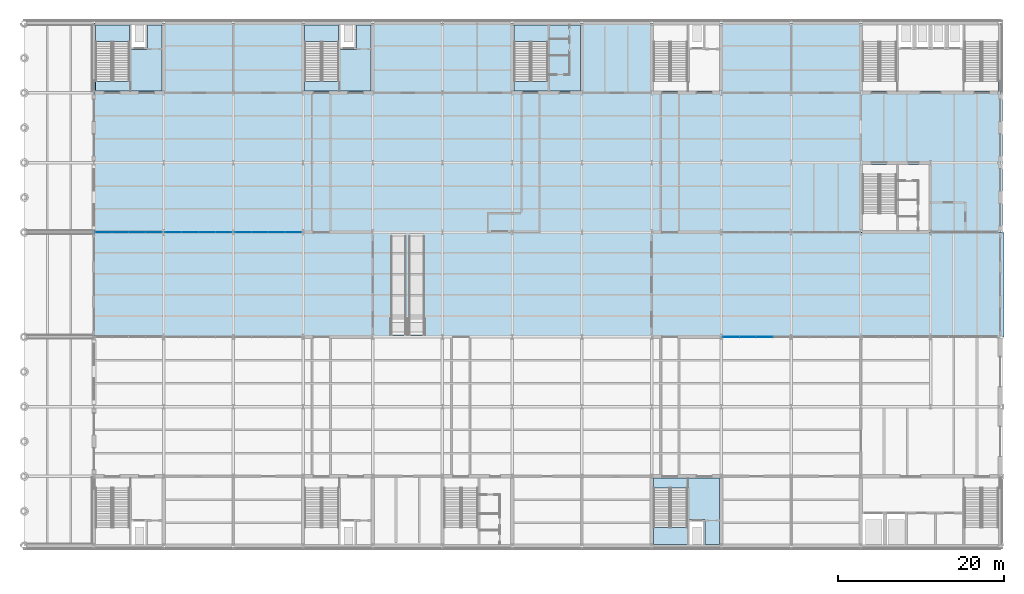
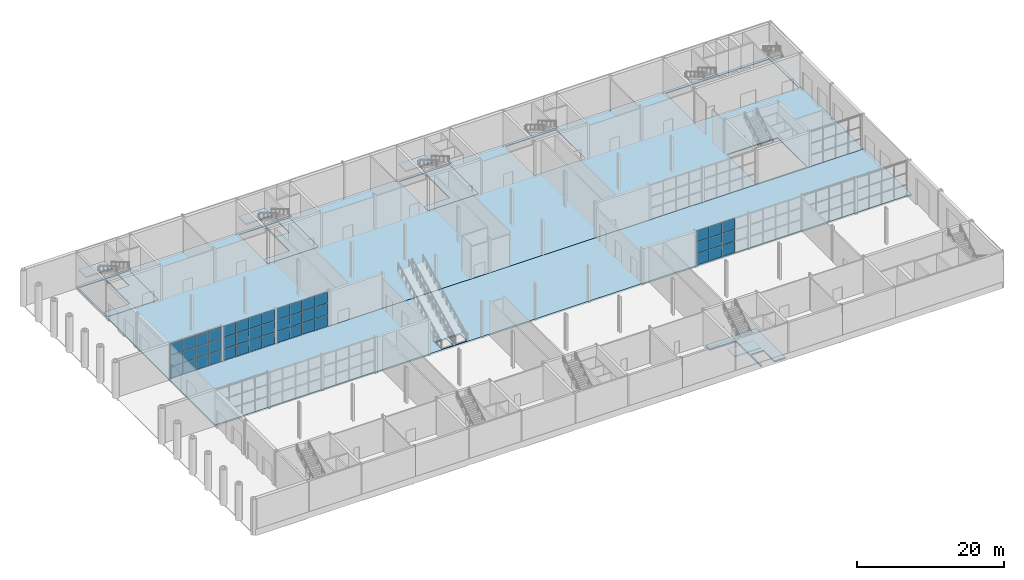
# One storey, part 27 of 55: 45 plates, 10 slabs, 8 elements without a shape of their own.
"""IFC4 building model written with IfcOpenShell, lengths in metres."""

from ifc_helpers import new_model, si_unit, direction, frame, origin, origin_2d, place, context, subcontext, project, spatial, polyline, rectangle, outline, extrude, material, layer, layer_set, type_object, element, aggregate, save


model = new_model("IFC4")

# Units and contexts
model_context = context("Model", 3, precision=1e-05, world=origin(), true_north=direction((0.0, 1.0)))
body_context = subcontext(model_context, "Body", "Model", "MODEL_VIEW")
ifc_project = project(units=[si_unit("LENGTHUNIT", "METRE"), si_unit("AREAUNIT", "SQUARE_METRE"), si_unit("VOLUMEUNIT", "CUBIC_METRE"), si_unit("PLANEANGLEUNIT", "RADIAN"), si_unit("MASSUNIT", "GRAM", prefix="KILO")], contexts=[model_context])

# Site, building, storey
site_placement = place(None, origin())
site = spatial("IfcSite", under=ifc_project, at=site_placement, CompositionType="ELEMENT")
building_placement = place(site_placement, origin())
building = spatial("IfcBuilding", under=site, at=building_placement, Name="Galleria Vessillo Department Store", CompositionType="ELEMENT")
storey_placement = place(building_placement, origin())
storey = spatial("IfcBuildingStorey", under=building, at=storey_placement, Name="L00", CompositionType="ELEMENT", Elevation=0.0)

# Slabs
ifc_material_1 = material(Name="Concrete C32/40 composite on steel deck", Category="concrete")
ifc_layer_1 = layer(ifc_material_1, 0.25)
ifc_layer_set_1 = layer_set([ifc_layer_1], Name="Concrete C32/40 composite on steel deck")
slab_type_1 = type_object("IfcSlabType", Name="Arcade pavement slab 250 mm", PredefinedType="FLOOR", material=ifc_layer_set_1)
slab_1_placement = place(storey_placement, frame((0.0, 0.0, -0.25)))
element("IfcSlab", 1, at=slab_1_placement, inside=storey, type_object=slab_type_1, Name="S-SLAB-L00-ARCADE", PredefinedType="FLOOR", context=body_context, shape_type="SweptSolid", body=[
    extrude(outline(polyline([(118.050048828125, 37.800048828125), (118.050048828125, 25.199951171875), (8.39990234375, 25.199951171875), (8.39990234375, 37.800048828125), (118.050048828125, 37.800048828125)]), holes=[polyline([(46.0, 25.39990234375), (46.0, 27.34326171875), (44.2001953125, 27.34326171875), (44.2001953125, 25.39990234375), (46.0, 25.39990234375)]), polyline([(48.199951171875, 25.39990234375), (48.199951171875, 27.34326171875), (46.400146484375, 27.34326171875), (46.400146484375, 25.39990234375), (48.199951171875, 25.39990234375)])]), origin(), (0.0, 0.0, 1.0), 0.25),
])
ifc_material_2 = material(Name="Concrete C32/40 composite on steel deck", Category="concrete")
ifc_layer_2 = layer(ifc_material_2, 0.14990234375)
ifc_layer_set_2 = layer_set([ifc_layer_2], Name="Concrete C32/40 composite on steel deck")
slab_type_2 = type_object("IfcSlabType", Name="Composite floor slab 150 mm", PredefinedType="FLOOR", material=ifc_layer_set_2)
slab_2_placement = place(storey_placement, frame((0.0, 0.0, -0.14990234375)))
element("IfcSlab", 2, at=slab_2_placement, inside=storey, type_object=slab_type_2, Name="S-SLAB-L00-FLOOR-N", PredefinedType="FLOOR", context=body_context, shape_type="SweptSolid", body=[
    extrude(outline(polyline([(25.3505859375, 63.0), (25.3505859375, 63.25), (33.449462890625, 63.25), (33.449462890625, 63.0), (33.750732421875, 63.0), (33.750732421875, 63.199951171875), (41.849365234375, 63.199951171875), (41.849365234375, 63.0), (42.150634765625, 63.0), (42.150634765625, 63.25), (50.249267578125, 63.25), (50.249267578125, 63.0), (50.550537109375, 63.0), (50.550537109375, 63.25), (58.6494140625, 63.25), (58.6494140625, 63.0), (58.95068359375, 63.0), (58.95068359375, 63.199951171875), (67.04931640625, 63.199951171875), (67.04931640625, 63.0), (67.3505859375, 63.0), (67.3505859375, 63.25), (75.449462890625, 63.25), (75.449462890625, 63.0), (75.750732421875, 63.0), (75.750732421875, 63.199951171875), (83.846435546875, 63.199951171875), (83.846435546875, 63.0), (84.153564453125, 63.0), (84.153564453125, 63.25), (92.246337890625, 63.25), (92.246337890625, 63.0), (92.553466796875, 63.0), (92.553466796875, 63.25), (100.646484375, 63.25), (100.646484375, 63.0), (100.95361328125, 63.0), (100.95361328125, 63.199951171875), (117.3134765625, 63.199951171875), (117.3134765625, 63.0), (117.60009765625, 63.0), (117.60009765625, 62.846435546875), (117.800048828125, 62.846435546875), (117.800048828125, 54.753662109375), (117.60009765625, 54.753662109375), (117.60009765625, 54.446533203125), (117.85009765625, 54.446533203125), (117.85009765625, 46.353515625), (117.60009765625, 46.353515625), (117.60009765625, 46.04638671875), (117.85009765625, 46.04638671875), (117.85009765625, 37.95361328125), (117.60009765625, 37.95361328125), (117.60009765625, 37.800048828125), (8.39990234375, 37.800048828125), (8.39990234375, 63.0), (8.550537109375, 63.0), (8.550537109375, 63.199951171875), (16.6494140625, 63.199951171875), (16.6494140625, 63.0), (16.95068359375, 63.0), (16.95068359375, 63.25), (25.04931640625, 63.25), (25.04931640625, 63.0), (25.3505859375, 63.0)]), holes=[polyline([(16.60009765625, 62.800048828125), (8.599853515625, 62.800048828125), (8.599853515625, 54.800048828125), (16.60009765625, 54.800048828125), (16.60009765625, 62.800048828125)]), polyline([(41.800048828125, 62.800048828125), (33.800048828125, 62.800048828125), (33.800048828125, 54.800048828125), (41.800048828125, 54.800048828125), (41.800048828125, 62.800048828125)]), polyline([(59.0, 62.800048828125), (59.0, 54.800048828125), (67.0, 54.800048828125), (67.0, 62.800048828125), (59.0, 62.800048828125)]), polyline([(101.0, 46.0), (101.0, 38.0), (109.0, 38.0), (109.0, 46.0), (101.0, 46.0)]), polyline([(83.800048828125, 62.800048828125), (75.800048828125, 62.800048828125), (75.800048828125, 54.800048828125), (83.800048828125, 54.800048828125), (83.800048828125, 62.800048828125)]), polyline([(117.400146484375, 62.800048828125), (101.0, 62.800048828125), (101.0, 54.800048828125), (117.400146484375, 54.800048828125), (117.400146484375, 62.800048828125)])]), origin(), (0.0, 0.0, 1.0), 0.14990234375),
])

# Curtain wall, plates
ifc_material_3 = material(Name="Aluminium and glass curtain wall", Category="aluminium")
ifc_layer_3 = layer(ifc_material_3, 0.159912109375)
ifc_layer_set_3 = layer_set([ifc_layer_3], Name="Aluminium and glass curtain wall")
curtain_wall_type_1 = type_object("IfcCurtainWallType", Name="Arcade portal glazing CW2 2100 module", PredefinedType="NOTDEFINED", material=ifc_layer_set_3)
curtain_wall_1_placement = place(storey_placement, origin())
curtain_wall_1 = element("IfcCurtainWall", 3, at=curtain_wall_1_placement, inside=storey, type_object=curtain_wall_type_1, Name="Arcade portal glazing CW2 2100 module PW-W-N-L00-01", PredefinedType="NOTDEFINED")
ifc_material_4 = material(Name="Glass laminated 44.2 low-e", Category="glass")
ifc_layer_4 = layer(ifc_material_4, 0.028076171875)
ifc_layer_set_4 = layer_set([ifc_layer_4], Name="Glass laminated 44.2 low-e")
plate_type_1 = type_object("IfcPlateType", Name="Laminated glass panel 28 mm", PredefinedType="CURTAIN_PANEL", material=ifc_layer_set_4)
plate_1_placement = place(storey_placement, frame((9.576904296875, 37.800048828125, 0.06005859375), z_axis=(0.0, 0.0, 1.0), x_axis=(1.0, 0.0, 0.0)))
plate_1 = element("IfcPlate", 4, at=plate_1_placement, type_object=plate_type_1, Name="CW2 panel 1.1", PredefinedType="CURTAIN_PANEL", context=body_context, shape_type="SweptSolid", body=[
    extrude(rectangle(XDim=1.94873046875, YDim=0.028076171875, at=origin_2d()), origin(), (0.0, 0.0, 1.0), 1.860107421875),
])
plate_2_placement = place(storey_placement, frame((9.576904296875, 37.800048828125, 1.97998046875), z_axis=(0.0, 0.0, 1.0), x_axis=(1.0, 0.0, 0.0)))
plate_2 = element("IfcPlate", 5, at=plate_2_placement, type_object=plate_type_1, Name="CW2 panel 1.2", PredefinedType="CURTAIN_PANEL", context=body_context, shape_type="SweptSolid", body=[
    extrude(rectangle(XDim=1.94873046875, YDim=0.028076171875, at=origin_2d()), origin(), (0.0, 0.0, 1.0), 1.89013671875),
])
plate_3_placement = place(storey_placement, frame((9.576904296875, 37.800048828125, 3.93017578125), z_axis=(0.0, 0.0, 1.0), x_axis=(1.0, 0.0, 0.0)))
plate_3 = element("IfcPlate", 6, at=plate_3_placement, type_object=plate_type_1, Name="CW2 panel 1.3", PredefinedType="CURTAIN_PANEL", context=body_context, shape_type="SweptSolid", body=[
    extrude(rectangle(XDim=1.94873046875, YDim=0.028076171875, at=origin_2d()), origin(), (0.0, 0.0, 1.0), 1.860107421875),
])
plate_4_placement = place(storey_placement, frame((11.588134765625, 37.800048828125, 0.06005859375), z_axis=(0.0, 0.0, 1.0), x_axis=(1.0, 0.0, 0.0)))
plate_4 = element("IfcPlate", 7, at=plate_4_placement, type_object=plate_type_1, Name="CW2 panel 2.1", PredefinedType="CURTAIN_PANEL", context=body_context, shape_type="SweptSolid", body=[
    extrude(rectangle(XDim=1.9736328125, YDim=0.028076171875, at=origin_2d()), origin(), (0.0, 0.0, 1.0), 1.860107421875),
])
plate_5_placement = place(storey_placement, frame((11.588134765625, 37.800048828125, 1.97998046875), z_axis=(0.0, 0.0, 1.0), x_axis=(1.0, 0.0, 0.0)))
plate_5 = element("IfcPlate", 8, at=plate_5_placement, type_object=plate_type_1, Name="CW2 panel 2.2", PredefinedType="CURTAIN_PANEL", context=body_context, shape_type="SweptSolid", body=[
    extrude(rectangle(XDim=1.9736328125, YDim=0.028076171875, at=origin_2d()), origin(), (0.0, 0.0, 1.0), 1.89013671875),
])
plate_6_placement = place(storey_placement, frame((11.588134765625, 37.800048828125, 3.93017578125), z_axis=(0.0, 0.0, 1.0), x_axis=(1.0, 0.0, 0.0)))
plate_6 = element("IfcPlate", 9, at=plate_6_placement, type_object=plate_type_1, Name="CW2 panel 2.3", PredefinedType="CURTAIN_PANEL", context=body_context, shape_type="SweptSolid", body=[
    extrude(rectangle(XDim=1.9736328125, YDim=0.028076171875, at=origin_2d()), origin(), (0.0, 0.0, 1.0), 1.860107421875),
])
plate_7_placement = place(storey_placement, frame((13.61181640625, 37.800048828125, 0.06005859375), z_axis=(0.0, 0.0, 1.0), x_axis=(1.0, 0.0, 0.0)))
plate_7 = element("IfcPlate", 10, at=plate_7_placement, type_object=plate_type_1, Name="CW2 panel 3.1", PredefinedType="CURTAIN_PANEL", context=body_context, shape_type="SweptSolid", body=[
    extrude(rectangle(XDim=1.9736328125, YDim=0.028076171875, at=origin_2d()), origin(), (0.0, 0.0, 1.0), 1.860107421875),
])
plate_8_placement = place(storey_placement, frame((13.61181640625, 37.800048828125, 1.97998046875), z_axis=(0.0, 0.0, 1.0), x_axis=(1.0, 0.0, 0.0)))
plate_8 = element("IfcPlate", 11, at=plate_8_placement, type_object=plate_type_1, Name="CW2 panel 3.2", PredefinedType="CURTAIN_PANEL", context=body_context, shape_type="SweptSolid", body=[
    extrude(rectangle(XDim=1.9736328125, YDim=0.028076171875, at=origin_2d()), origin(), (0.0, 0.0, 1.0), 1.89013671875),
])
plate_9_placement = place(storey_placement, frame((13.61181640625, 37.800048828125, 3.93017578125), z_axis=(0.0, 0.0, 1.0), x_axis=(1.0, 0.0, 0.0)))
plate_9 = element("IfcPlate", 12, at=plate_9_placement, type_object=plate_type_1, Name="CW2 panel 3.3", PredefinedType="CURTAIN_PANEL", context=body_context, shape_type="SweptSolid", body=[
    extrude(rectangle(XDim=1.9736328125, YDim=0.028076171875, at=origin_2d()), origin(), (0.0, 0.0, 1.0), 1.860107421875),
])
plate_10_placement = place(storey_placement, frame((15.623046875, 37.800048828125, 0.06005859375), z_axis=(0.0, 0.0, 1.0), x_axis=(1.0, 0.0, 0.0)))
plate_10 = element("IfcPlate", 13, at=plate_10_placement, type_object=plate_type_1, Name="CW2 panel 4.1", PredefinedType="CURTAIN_PANEL", context=body_context, shape_type="SweptSolid", body=[
    extrude(rectangle(XDim=1.94873046875, YDim=0.028076171875, at=origin_2d()), origin(), (0.0, 0.0, 1.0), 1.860107421875),
])
plate_11_placement = place(storey_placement, frame((15.623046875, 37.800048828125, 1.97998046875), z_axis=(0.0, 0.0, 1.0), x_axis=(1.0, 0.0, 0.0)))
plate_11 = element("IfcPlate", 14, at=plate_11_placement, type_object=plate_type_1, Name="CW2 panel 4.2", PredefinedType="CURTAIN_PANEL", context=body_context, shape_type="SweptSolid", body=[
    extrude(rectangle(XDim=1.94873046875, YDim=0.028076171875, at=origin_2d()), origin(), (0.0, 0.0, 1.0), 1.89013671875),
])
plate_12_placement = place(storey_placement, frame((15.623046875, 37.800048828125, 3.93017578125), z_axis=(0.0, 0.0, 1.0), x_axis=(1.0, 0.0, 0.0)))
plate_12 = element("IfcPlate", 15, at=plate_12_placement, type_object=plate_type_1, Name="CW2 panel 4.3", PredefinedType="CURTAIN_PANEL", context=body_context, shape_type="SweptSolid", body=[
    extrude(rectangle(XDim=1.94873046875, YDim=0.028076171875, at=origin_2d()), origin(), (0.0, 0.0, 1.0), 1.860107421875),
])
aggregate(curtain_wall_1, [plate_1, plate_2, plate_3, plate_4, plate_5, plate_6, plate_7, plate_8, plate_9, plate_10, plate_11, plate_12])

ifc_material_5 = material(Name="Aluminium and glass curtain wall", Category="aluminium")
ifc_layer_5 = layer(ifc_material_5, 0.199951171875)
ifc_layer_set_5 = layer_set([ifc_layer_5], Name="Aluminium and glass curtain wall")
curtain_wall_type_2 = type_object("IfcCurtainWallType", Name="Arcade curtain wall CW1 2100 module", PredefinedType="NOTDEFINED", material=ifc_layer_set_5)
curtain_wall_2_placement = place(storey_placement, origin())
curtain_wall_2 = element("IfcCurtainWall", 16, at=curtain_wall_2_placement, inside=storey, type_object=curtain_wall_type_2, Name="Arcade curtain wall CW1 2100 module AI-AE-S-L00-01", PredefinedType="NOTDEFINED")
ifc_material_6 = material(Name="Glass laminated 44.2 low-e", Category="glass")
ifc_layer_6 = layer(ifc_material_6, 0.031982421875)
ifc_layer_set_6 = layer_set([ifc_layer_6], Name="Glass laminated 44.2 low-e")
plate_type_2 = type_object("IfcPlateType", Name="Laminated glass panel 32 mm", PredefinedType="CURTAIN_PANEL", material=ifc_layer_set_6)
plate_13_placement = place(storey_placement, frame((85.179443359375, 25.199951171875, 0.06982421875), z_axis=(0.0, 0.0, 1.0), x_axis=(1.0, 0.0, 0.0)))
plate_13 = element("IfcPlate", 17, at=plate_13_placement, type_object=plate_type_2, Name="CW1 panel 1.1", PredefinedType="CURTAIN_PANEL", context=body_context, shape_type="SweptSolid", body=[
    extrude(rectangle(XDim=1.93359375, YDim=0.031982421875, at=origin_2d()), origin(), (0.0, 0.0, 1.0), 1.844970703125),
])
plate_14_placement = place(storey_placement, frame((85.179443359375, 25.199951171875, 1.98486328125), z_axis=(0.0, 0.0, 1.0), x_axis=(1.0, 0.0, 0.0)))
plate_14 = element("IfcPlate", 18, at=plate_14_placement, type_object=plate_type_2, Name="CW1 panel 1.2", PredefinedType="CURTAIN_PANEL", context=body_context, shape_type="SweptSolid", body=[
    extrude(rectangle(XDim=1.93359375, YDim=0.031982421875, at=origin_2d()), origin(), (0.0, 0.0, 1.0), 1.880126953125),
])
plate_15_placement = place(storey_placement, frame((85.179443359375, 25.199951171875, 3.93505859375), z_axis=(0.0, 0.0, 1.0), x_axis=(1.0, 0.0, 0.0)))
plate_15 = element("IfcPlate", 19, at=plate_15_placement, type_object=plate_type_2, Name="CW1 panel 1.3", PredefinedType="CURTAIN_PANEL", context=body_context, shape_type="SweptSolid", body=[
    extrude(rectangle(XDim=1.93359375, YDim=0.031982421875, at=origin_2d()), origin(), (0.0, 0.0, 1.0), 1.844970703125),
])
plate_16_placement = place(storey_placement, frame((87.18798828125, 25.199951171875, 0.06982421875), z_axis=(0.0, 0.0, 1.0), x_axis=(1.0, 0.0, 0.0)))
plate_16 = element("IfcPlate", 20, at=plate_16_placement, type_object=plate_type_2, Name="CW1 panel 2.1", PredefinedType="CURTAIN_PANEL", context=body_context, shape_type="SweptSolid", body=[
    extrude(rectangle(XDim=1.963623046875, YDim=0.031982421875, at=origin_2d()), origin(), (0.0, 0.0, 1.0), 1.844970703125),
])
plate_17_placement = place(storey_placement, frame((87.18798828125, 25.199951171875, 1.98486328125), z_axis=(0.0, 0.0, 1.0), x_axis=(1.0, 0.0, 0.0)))
plate_17 = element("IfcPlate", 21, at=plate_17_placement, type_object=plate_type_2, Name="CW1 panel 2.2", PredefinedType="CURTAIN_PANEL", context=body_context, shape_type="SweptSolid", body=[
    extrude(rectangle(XDim=1.963623046875, YDim=0.031982421875, at=origin_2d()), origin(), (0.0, 0.0, 1.0), 1.880126953125),
])
plate_18_placement = place(storey_placement, frame((87.18798828125, 25.199951171875, 3.93505859375), z_axis=(0.0, 0.0, 1.0), x_axis=(1.0, 0.0, 0.0)))
plate_18 = element("IfcPlate", 22, at=plate_18_placement, type_object=plate_type_2, Name="CW1 panel 2.3", PredefinedType="CURTAIN_PANEL", context=body_context, shape_type="SweptSolid", body=[
    extrude(rectangle(XDim=1.963623046875, YDim=0.031982421875, at=origin_2d()), origin(), (0.0, 0.0, 1.0), 1.844970703125),
])
plate_19_placement = place(storey_placement, frame((89.21142578125, 25.199951171875, 0.06982421875), z_axis=(0.0, 0.0, 1.0), x_axis=(1.0, 0.0, 0.0)))
plate_19 = element("IfcPlate", 23, at=plate_19_placement, type_object=plate_type_2, Name="CW1 panel 3.1", PredefinedType="CURTAIN_PANEL", context=body_context, shape_type="SweptSolid", body=[
    extrude(rectangle(XDim=1.963623046875, YDim=0.031982421875, at=origin_2d()), origin(), (0.0, 0.0, 1.0), 1.844970703125),
])
plate_20_placement = place(storey_placement, frame((89.21142578125, 25.199951171875, 1.98486328125), z_axis=(0.0, 0.0, 1.0), x_axis=(1.0, 0.0, 0.0)))
plate_20 = element("IfcPlate", 24, at=plate_20_placement, type_object=plate_type_2, Name="CW1 panel 3.2", PredefinedType="CURTAIN_PANEL", context=body_context, shape_type="SweptSolid", body=[
    extrude(rectangle(XDim=1.963623046875, YDim=0.031982421875, at=origin_2d()), origin(), (0.0, 0.0, 1.0), 1.880126953125),
])
plate_21_placement = place(storey_placement, frame((89.21142578125, 25.199951171875, 3.93505859375), z_axis=(0.0, 0.0, 1.0), x_axis=(1.0, 0.0, 0.0)))
plate_21 = element("IfcPlate", 25, at=plate_21_placement, type_object=plate_type_2, Name="CW1 panel 3.3", PredefinedType="CURTAIN_PANEL", context=body_context, shape_type="SweptSolid", body=[
    extrude(rectangle(XDim=1.963623046875, YDim=0.031982421875, at=origin_2d()), origin(), (0.0, 0.0, 1.0), 1.844970703125),
])
aggregate(curtain_wall_2, [plate_13, plate_14, plate_15, plate_16, plate_17, plate_18, plate_19, plate_20, plate_21])

curtain_wall_3_placement = place(storey_placement, origin())
curtain_wall_3 = element("IfcCurtainWall", 26, at=curtain_wall_3_placement, inside=storey, type_object=curtain_wall_type_2, Name="Arcade curtain wall CW1 2100 module AI-AW-N-L00-01", PredefinedType="NOTDEFINED")
plate_22_placement = place(storey_placement, frame((17.9794921875, 37.800048828125, 0.06982421875), z_axis=(0.0, 0.0, 1.0), x_axis=(1.0, 0.0, 0.0)))
plate_22 = element("IfcPlate", 27, at=plate_22_placement, type_object=plate_type_2, Name="CW1 panel 1.1", PredefinedType="CURTAIN_PANEL", context=body_context, shape_type="SweptSolid", body=[
    extrude(rectangle(XDim=1.93359375, YDim=0.031982421875, at=origin_2d()), origin(), (0.0, 0.0, 1.0), 1.844970703125),
])
plate_23_placement = place(storey_placement, frame((17.9794921875, 37.800048828125, 1.98486328125), z_axis=(0.0, 0.0, 1.0), x_axis=(1.0, 0.0, 0.0)))
plate_23 = element("IfcPlate", 28, at=plate_23_placement, type_object=plate_type_2, Name="CW1 panel 1.2", PredefinedType="CURTAIN_PANEL", context=body_context, shape_type="SweptSolid", body=[
    extrude(rectangle(XDim=1.93359375, YDim=0.031982421875, at=origin_2d()), origin(), (0.0, 0.0, 1.0), 1.880126953125),
])
plate_24_placement = place(storey_placement, frame((17.9794921875, 37.800048828125, 3.93505859375), z_axis=(0.0, 0.0, 1.0), x_axis=(1.0, 0.0, 0.0)))
plate_24 = element("IfcPlate", 29, at=plate_24_placement, type_object=plate_type_2, Name="CW1 panel 1.3", PredefinedType="CURTAIN_PANEL", context=body_context, shape_type="SweptSolid", body=[
    extrude(rectangle(XDim=1.93359375, YDim=0.031982421875, at=origin_2d()), origin(), (0.0, 0.0, 1.0), 1.844970703125),
])
plate_25_placement = place(storey_placement, frame((19.988037109375, 37.800048828125, 0.06982421875), z_axis=(0.0, 0.0, 1.0), x_axis=(1.0, 0.0, 0.0)))
plate_25 = element("IfcPlate", 30, at=plate_25_placement, type_object=plate_type_2, Name="CW1 panel 2.1", PredefinedType="CURTAIN_PANEL", context=body_context, shape_type="SweptSolid", body=[
    extrude(rectangle(XDim=1.963623046875, YDim=0.031982421875, at=origin_2d()), origin(), (0.0, 0.0, 1.0), 1.844970703125),
])
plate_26_placement = place(storey_placement, frame((19.988037109375, 37.800048828125, 1.98486328125), z_axis=(0.0, 0.0, 1.0), x_axis=(1.0, 0.0, 0.0)))
plate_26 = element("IfcPlate", 31, at=plate_26_placement, type_object=plate_type_2, Name="CW1 panel 2.2", PredefinedType="CURTAIN_PANEL", context=body_context, shape_type="SweptSolid", body=[
    extrude(rectangle(XDim=1.963623046875, YDim=0.031982421875, at=origin_2d()), origin(), (0.0, 0.0, 1.0), 1.880126953125),
])
plate_27_placement = place(storey_placement, frame((19.988037109375, 37.800048828125, 3.93505859375), z_axis=(0.0, 0.0, 1.0), x_axis=(1.0, 0.0, 0.0)))
plate_27 = element("IfcPlate", 32, at=plate_27_placement, type_object=plate_type_2, Name="CW1 panel 2.3", PredefinedType="CURTAIN_PANEL", context=body_context, shape_type="SweptSolid", body=[
    extrude(rectangle(XDim=1.963623046875, YDim=0.031982421875, at=origin_2d()), origin(), (0.0, 0.0, 1.0), 1.844970703125),
])
plate_28_placement = place(storey_placement, frame((22.011474609375, 37.800048828125, 0.06982421875), z_axis=(0.0, 0.0, 1.0), x_axis=(1.0, 0.0, 0.0)))
plate_28 = element("IfcPlate", 33, at=plate_28_placement, type_object=plate_type_2, Name="CW1 panel 3.1", PredefinedType="CURTAIN_PANEL", context=body_context, shape_type="SweptSolid", body=[
    extrude(rectangle(XDim=1.963623046875, YDim=0.031982421875, at=origin_2d()), origin(), (0.0, 0.0, 1.0), 1.844970703125),
])
plate_29_placement = place(storey_placement, frame((22.011474609375, 37.800048828125, 1.98486328125), z_axis=(0.0, 0.0, 1.0), x_axis=(1.0, 0.0, 0.0)))
plate_29 = element("IfcPlate", 34, at=plate_29_placement, type_object=plate_type_2, Name="CW1 panel 3.2", PredefinedType="CURTAIN_PANEL", context=body_context, shape_type="SweptSolid", body=[
    extrude(rectangle(XDim=1.963623046875, YDim=0.031982421875, at=origin_2d()), origin(), (0.0, 0.0, 1.0), 1.880126953125),
])
plate_30_placement = place(storey_placement, frame((22.011474609375, 37.800048828125, 3.93505859375), z_axis=(0.0, 0.0, 1.0), x_axis=(1.0, 0.0, 0.0)))
plate_30 = element("IfcPlate", 35, at=plate_30_placement, type_object=plate_type_2, Name="CW1 panel 3.3", PredefinedType="CURTAIN_PANEL", context=body_context, shape_type="SweptSolid", body=[
    extrude(rectangle(XDim=1.963623046875, YDim=0.031982421875, at=origin_2d()), origin(), (0.0, 0.0, 1.0), 1.844970703125),
])
plate_31_placement = place(storey_placement, frame((24.02001953125, 37.800048828125, 0.06982421875), z_axis=(0.0, 0.0, 1.0), x_axis=(1.0, 0.0, 0.0)))
plate_31 = element("IfcPlate", 36, at=plate_31_placement, type_object=plate_type_2, Name="CW1 panel 4.1", PredefinedType="CURTAIN_PANEL", context=body_context, shape_type="SweptSolid", body=[
    extrude(rectangle(XDim=1.93359375, YDim=0.031982421875, at=origin_2d()), origin(), (0.0, 0.0, 1.0), 1.844970703125),
])
plate_32_placement = place(storey_placement, frame((24.02001953125, 37.800048828125, 1.98486328125), z_axis=(0.0, 0.0, 1.0), x_axis=(1.0, 0.0, 0.0)))
plate_32 = element("IfcPlate", 37, at=plate_32_placement, type_object=plate_type_2, Name="CW1 panel 4.2", PredefinedType="CURTAIN_PANEL", context=body_context, shape_type="SweptSolid", body=[
    extrude(rectangle(XDim=1.93359375, YDim=0.031982421875, at=origin_2d()), origin(), (0.0, 0.0, 1.0), 1.880126953125),
])
plate_33_placement = place(storey_placement, frame((24.02001953125, 37.800048828125, 3.93505859375), z_axis=(0.0, 0.0, 1.0), x_axis=(1.0, 0.0, 0.0)))
plate_33 = element("IfcPlate", 38, at=plate_33_placement, type_object=plate_type_2, Name="CW1 panel 4.3", PredefinedType="CURTAIN_PANEL", context=body_context, shape_type="SweptSolid", body=[
    extrude(rectangle(XDim=1.93359375, YDim=0.031982421875, at=origin_2d()), origin(), (0.0, 0.0, 1.0), 1.844970703125),
])
aggregate(curtain_wall_3, [plate_22, plate_23, plate_24, plate_25, plate_26, plate_27, plate_28, plate_29, plate_30, plate_31, plate_32, plate_33])

curtain_wall_4_placement = place(storey_placement, origin())
curtain_wall_4 = element("IfcCurtainWall", 39, at=curtain_wall_4_placement, inside=storey, type_object=curtain_wall_type_2, Name="Arcade curtain wall CW1 2100 module AI-AW-N-L00-02", PredefinedType="NOTDEFINED")
plate_34_placement = place(storey_placement, frame((26.3798828125, 37.800048828125, 0.06982421875), z_axis=(0.0, 0.0, 1.0), x_axis=(1.0, 0.0, 0.0)))
plate_34 = element("IfcPlate", 40, at=plate_34_placement, type_object=plate_type_2, Name="CW1 panel 1.1", PredefinedType="CURTAIN_PANEL", context=body_context, shape_type="SweptSolid", body=[
    extrude(rectangle(XDim=1.93359375, YDim=0.031982421875, at=origin_2d()), origin(), (0.0, 0.0, 1.0), 1.844970703125),
])
plate_35_placement = place(storey_placement, frame((26.3798828125, 37.800048828125, 1.98486328125), z_axis=(0.0, 0.0, 1.0), x_axis=(1.0, 0.0, 0.0)))
plate_35 = element("IfcPlate", 41, at=plate_35_placement, type_object=plate_type_2, Name="CW1 panel 1.2", PredefinedType="CURTAIN_PANEL", context=body_context, shape_type="SweptSolid", body=[
    extrude(rectangle(XDim=1.93359375, YDim=0.031982421875, at=origin_2d()), origin(), (0.0, 0.0, 1.0), 1.880126953125),
])
plate_36_placement = place(storey_placement, frame((26.3798828125, 37.800048828125, 3.93505859375), z_axis=(0.0, 0.0, 1.0), x_axis=(1.0, 0.0, 0.0)))
plate_36 = element("IfcPlate", 42, at=plate_36_placement, type_object=plate_type_2, Name="CW1 panel 1.3", PredefinedType="CURTAIN_PANEL", context=body_context, shape_type="SweptSolid", body=[
    extrude(rectangle(XDim=1.93359375, YDim=0.031982421875, at=origin_2d()), origin(), (0.0, 0.0, 1.0), 1.844970703125),
])
plate_37_placement = place(storey_placement, frame((28.388427734375, 37.800048828125, 0.06982421875), z_axis=(0.0, 0.0, 1.0), x_axis=(1.0, 0.0, 0.0)))
plate_37 = element("IfcPlate", 43, at=plate_37_placement, type_object=plate_type_2, Name="CW1 panel 2.1", PredefinedType="CURTAIN_PANEL", context=body_context, shape_type="SweptSolid", body=[
    extrude(rectangle(XDim=1.963623046875, YDim=0.031982421875, at=origin_2d()), origin(), (0.0, 0.0, 1.0), 1.844970703125),
])
plate_38_placement = place(storey_placement, frame((28.388427734375, 37.800048828125, 1.98486328125), z_axis=(0.0, 0.0, 1.0), x_axis=(1.0, 0.0, 0.0)))
plate_38 = element("IfcPlate", 44, at=plate_38_placement, type_object=plate_type_2, Name="CW1 panel 2.2", PredefinedType="CURTAIN_PANEL", context=body_context, shape_type="SweptSolid", body=[
    extrude(rectangle(XDim=1.963623046875, YDim=0.031982421875, at=origin_2d()), origin(), (0.0, 0.0, 1.0), 1.880126953125),
])
plate_39_placement = place(storey_placement, frame((28.388427734375, 37.800048828125, 3.93505859375), z_axis=(0.0, 0.0, 1.0), x_axis=(1.0, 0.0, 0.0)))
plate_39 = element("IfcPlate", 45, at=plate_39_placement, type_object=plate_type_2, Name="CW1 panel 2.3", PredefinedType="CURTAIN_PANEL", context=body_context, shape_type="SweptSolid", body=[
    extrude(rectangle(XDim=1.963623046875, YDim=0.031982421875, at=origin_2d()), origin(), (0.0, 0.0, 1.0), 1.844970703125),
])
plate_40_placement = place(storey_placement, frame((30.412109375, 37.800048828125, 0.06982421875), z_axis=(0.0, 0.0, 1.0), x_axis=(1.0, 0.0, 0.0)))
plate_40 = element("IfcPlate", 46, at=plate_40_placement, type_object=plate_type_2, Name="CW1 panel 3.1", PredefinedType="CURTAIN_PANEL", context=body_context, shape_type="SweptSolid", body=[
    extrude(rectangle(XDim=1.963623046875, YDim=0.031982421875, at=origin_2d()), origin(), (0.0, 0.0, 1.0), 1.844970703125),
])
plate_41_placement = place(storey_placement, frame((30.412109375, 37.800048828125, 1.98486328125), z_axis=(0.0, 0.0, 1.0), x_axis=(1.0, 0.0, 0.0)))
plate_41 = element("IfcPlate", 47, at=plate_41_placement, type_object=plate_type_2, Name="CW1 panel 3.2", PredefinedType="CURTAIN_PANEL", context=body_context, shape_type="SweptSolid", body=[
    extrude(rectangle(XDim=1.963623046875, YDim=0.031982421875, at=origin_2d()), origin(), (0.0, 0.0, 1.0), 1.880126953125),
])
plate_42_placement = place(storey_placement, frame((30.412109375, 37.800048828125, 3.93505859375), z_axis=(0.0, 0.0, 1.0), x_axis=(1.0, 0.0, 0.0)))
plate_42 = element("IfcPlate", 48, at=plate_42_placement, type_object=plate_type_2, Name="CW1 panel 3.3", PredefinedType="CURTAIN_PANEL", context=body_context, shape_type="SweptSolid", body=[
    extrude(rectangle(XDim=1.963623046875, YDim=0.031982421875, at=origin_2d()), origin(), (0.0, 0.0, 1.0), 1.844970703125),
])
plate_43_placement = place(storey_placement, frame((32.420654296875, 37.800048828125, 0.06982421875), z_axis=(0.0, 0.0, 1.0), x_axis=(1.0, 0.0, 0.0)))
plate_43 = element("IfcPlate", 49, at=plate_43_placement, type_object=plate_type_2, Name="CW1 panel 4.1", PredefinedType="CURTAIN_PANEL", context=body_context, shape_type="SweptSolid", body=[
    extrude(rectangle(XDim=1.93359375, YDim=0.031982421875, at=origin_2d()), origin(), (0.0, 0.0, 1.0), 1.844970703125),
])
plate_44_placement = place(storey_placement, frame((32.420654296875, 37.800048828125, 1.98486328125), z_axis=(0.0, 0.0, 1.0), x_axis=(1.0, 0.0, 0.0)))
plate_44 = element("IfcPlate", 50, at=plate_44_placement, type_object=plate_type_2, Name="CW1 panel 4.2", PredefinedType="CURTAIN_PANEL", context=body_context, shape_type="SweptSolid", body=[
    extrude(rectangle(XDim=1.93359375, YDim=0.031982421875, at=origin_2d()), origin(), (0.0, 0.0, 1.0), 1.880126953125),
])
plate_45_placement = place(storey_placement, frame((32.420654296875, 37.800048828125, 3.93505859375), z_axis=(0.0, 0.0, 1.0), x_axis=(1.0, 0.0, 0.0)))
plate_45 = element("IfcPlate", 51, at=plate_45_placement, type_object=plate_type_2, Name="CW1 panel 4.3", PredefinedType="CURTAIN_PANEL", context=body_context, shape_type="SweptSolid", body=[
    extrude(rectangle(XDim=1.93359375, YDim=0.031982421875, at=origin_2d()), origin(), (0.0, 0.0, 1.0), 1.844970703125),
])
aggregate(curtain_wall_4, [plate_34, plate_35, plate_36, plate_37, plate_38, plate_39, plate_40, plate_41, plate_42, plate_43, plate_44, plate_45])

# Slabs
ifc_material_7 = material(Name="Concrete C32/40 reinforced", Category="concrete")
ifc_layer_7 = layer(ifc_material_7, 0.219970703125)
ifc_layer_set_7 = layer_set([ifc_layer_7], Name="Concrete C32/40 reinforced")
slab_type_3 = type_object("IfcSlabType", Name="Reinforced concrete core floor slab 220 mm", PredefinedType="FLOOR", material=ifc_layer_set_7)
slab_3_placement = place(storey_placement, frame((0.0, 0.0, -0.219970703125)))
element("IfcSlab", 52, at=slab_3_placement, inside=storey, type_object=slab_type_3, Name="S-SLAB-L00-CORE-PC-NW", PredefinedType="FLOOR", context=body_context, shape_type="SweptSolid", body=[
    extrude(outline(polyline([(16.60009765625, 62.800048828125), (16.60009765625, 54.800048828125), (8.599853515625, 54.800048828125), (8.60009765625, 62.800048828125), (8.60009765625, 56.0), (12.699951171875, 56.0), (12.699951171875, 62.800048828125), (12.89990234375, 62.800048828125), (12.89990234375, 59.800048828125), (14.85009765625, 59.800048828125), (14.85009765625, 62.800048828125), (16.60009765625, 62.800048828125)])), origin(), (0.0, 0.0, 1.0), 0.219970703125),
])
slab_4_placement = place(storey_placement, frame((0.0, 0.0, -0.219970703125)))
element("IfcSlab", 53, at=slab_4_placement, inside=storey, type_object=slab_type_3, Name="S-SLAB-L00-CORE-PC-NM", PredefinedType="FLOOR", context=body_context, shape_type="SweptSolid", body=[
    extrude(outline(polyline([(41.800048828125, 62.800048828125), (41.800048828125, 54.800048828125), (33.800048828125, 54.800048828125), (33.800048828125, 56.0), (37.89990234375, 56.0), (37.89990234375, 62.800048828125), (38.10009765625, 62.800048828125), (38.10009765625, 59.800048828125), (40.050048828125, 59.800048828125), (40.050048828125, 62.800048828125), (41.800048828125, 62.800048828125)])), origin(), (0.0, 0.0, 1.0), 0.219970703125),
])
slab_5_placement = place(storey_placement, frame((0.0, 0.0, -0.219970703125)))
element("IfcSlab", 54, at=slab_5_placement, inside=storey, type_object=slab_type_3, Name="S-SLAB-L00-CORE-PC-SE", PredefinedType="FLOOR", context=body_context, shape_type="SweptSolid", body=[
    extrude(outline(polyline([(75.800048828125, 8.199951171875), (83.800048828125, 8.199951171875), (83.800048828125, 0.199951171875), (82.050048828125, 0.199951171875), (82.050048828125, 3.199951171875), (80.10009765625, 3.199951171875), (80.10009765625, 0.199951171875), (79.89990234375, 0.199951171875), (79.89990234375, 7.0), (75.800048828125, 7.0), (75.800048828125, 8.199951171875)])), origin(), (0.0, 0.0, 1.0), 0.219970703125),
])
slab_6_placement = place(storey_placement, frame((0.0, 0.0, -0.219970703125)))
element("IfcSlab", 55, at=slab_6_placement, inside=storey, type_object=slab_type_3, Name="S-SLAB-L00-CORE-PC-NC", PredefinedType="FLOOR", context=body_context, shape_type="SweptSolid", body=[
    extrude(outline(polyline([(67.0, 62.800048828125), (67.0, 54.800048828125), (59.0, 54.800048828125), (59.0, 56.0), (63.10009765625, 56.0), (63.10009765625, 62.800048828125), (67.0, 62.800048828125)])), origin(), (0.0, 0.0, 1.0), 0.219970703125),
])

# Stair, slab
ifc_material_8 = material(Name="Concrete C32/40", Category="concrete")
stair_type = type_object("IfcStairType", Name="Half-turn escape stair 2000 mm, 36 risers of 167 mm", PredefinedType="HALF_TURN_STAIR", material=ifc_material_8)
stair_1_placement = place(storey_placement, origin())
stair_1 = element("IfcStair", 56, at=stair_1_placement, inside=storey, type_object=stair_type, Name="Stair ST2 L00", PredefinedType="HALF_TURN_STAIR")
ifc_material_9 = material(Name="Concrete C32/40", Category="concrete")
ifc_layer_8 = layer(ifc_material_9, 0.199951171875)
ifc_layer_set_8 = layer_set([ifc_layer_8], Name="Concrete C32/40")
slab_type_4 = type_object("IfcSlabType", Name="Stair half landing 4100 x 2040 mm", PredefinedType="LANDING", material=ifc_layer_set_8)
slab_7_placement = place(storey_placement, frame((0.0, 0.0, 2.800048828125)))
slab_7 = element("IfcSlab", 57, at=slab_7_placement, type_object=slab_type_4, Name="ST2 landing 1", PredefinedType="LANDING", context=body_context, shape_type="SweptSolid", body=[
    extrude(outline(polyline([(8.599853515625, 60.760009765625), (8.599853515625, 62.800048828125), (12.699951171875, 62.800048828125), (12.699951171875, 60.760009765625), (8.599853515625, 60.760009765625)])), origin(), (0.0, 0.0, 1.0), 0.199951171875),
])
aggregate(stair_1, [slab_7])

stair_2_placement = place(storey_placement, origin())
stair_2 = element("IfcStair", 58, at=stair_2_placement, inside=storey, type_object=stair_type, Name="Stair ST4 L00", PredefinedType="HALF_TURN_STAIR")
slab_8_placement = place(storey_placement, frame((0.0, 0.0, 2.800048828125)))
slab_8 = element("IfcSlab", 59, at=slab_8_placement, type_object=slab_type_4, Name="ST4 landing 1", PredefinedType="LANDING", context=body_context, shape_type="SweptSolid", body=[
    extrude(outline(polyline([(33.800048828125, 60.760009765625), (33.800048828125, 62.800048828125), (37.900146484375, 62.800048828125), (37.900146484375, 60.760009765625), (33.800048828125, 60.760009765625)])), origin(), (0.0, 0.0, 1.0), 0.199951171875),
])
aggregate(stair_2, [slab_8])

stair_3_placement = place(storey_placement, origin())
stair_3 = element("IfcStair", 60, at=stair_3_placement, inside=storey, type_object=stair_type, Name="Stair ST5 L00", PredefinedType="HALF_TURN_STAIR")
slab_9_placement = place(storey_placement, frame((0.0, 0.0, 2.800048828125)))
slab_9 = element("IfcSlab", 61, at=slab_9_placement, type_object=slab_type_4, Name="ST5 landing 1", PredefinedType="LANDING", context=body_context, shape_type="SweptSolid", body=[
    extrude(outline(polyline([(75.800048828125, 0.199951171875), (75.800048828125, 2.239990234375), (79.900146484375, 2.239990234375), (79.900146484375, 0.199951171875), (75.800048828125, 0.199951171875)])), origin(), (0.0, 0.0, 1.0), 0.199951171875),
])
aggregate(stair_3, [slab_9])

stair_4_placement = place(storey_placement, origin())
stair_4 = element("IfcStair", 62, at=stair_4_placement, inside=storey, type_object=stair_type, Name="Stair ST11 L00", PredefinedType="HALF_TURN_STAIR")
slab_10_placement = place(storey_placement, frame((0.0, 0.0, 2.800048828125)))
slab_10 = element("IfcSlab", 63, at=slab_10_placement, type_object=slab_type_4, Name="ST11 landing 1", PredefinedType="LANDING", context=body_context, shape_type="SweptSolid", body=[
    extrude(outline(polyline([(59.0, 60.760009765625), (59.0, 62.800048828125), (63.10009765625, 62.800048828125), (63.10009765625, 60.760009765625), (59.0, 60.760009765625)])), origin(), (0.0, 0.0, 1.0), 0.199951171875),
])
aggregate(stair_4, [slab_10])

save(model, "model.ifc")
